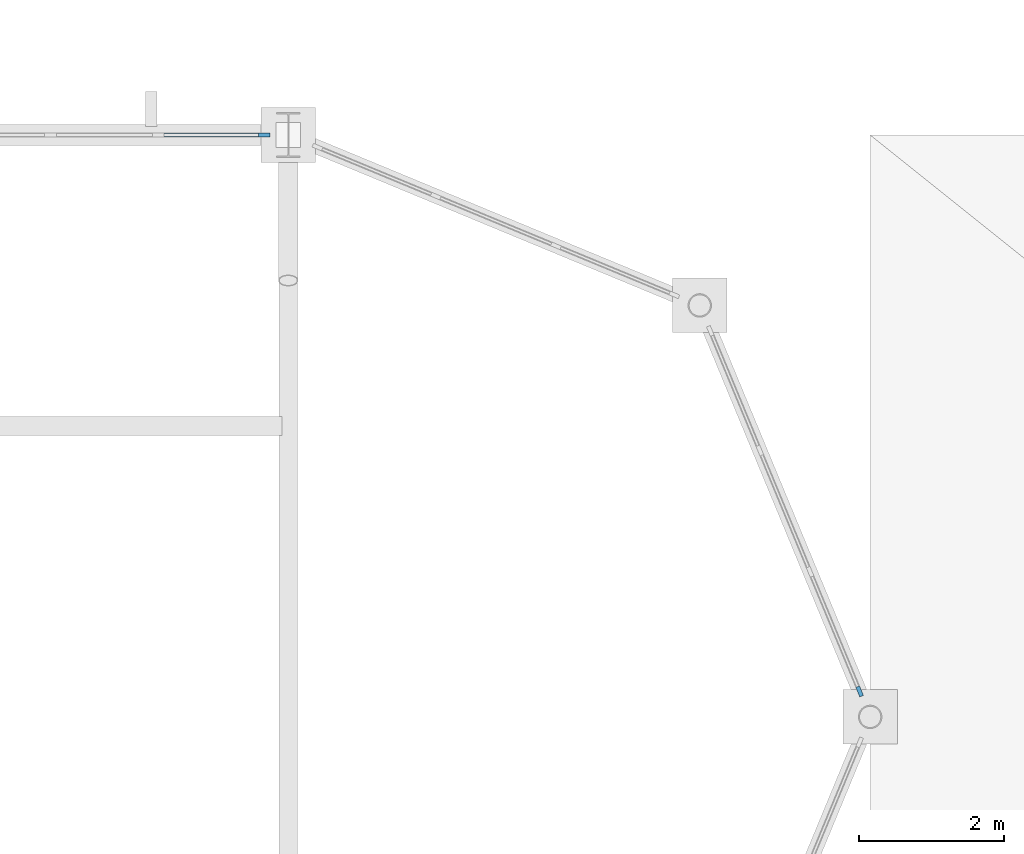
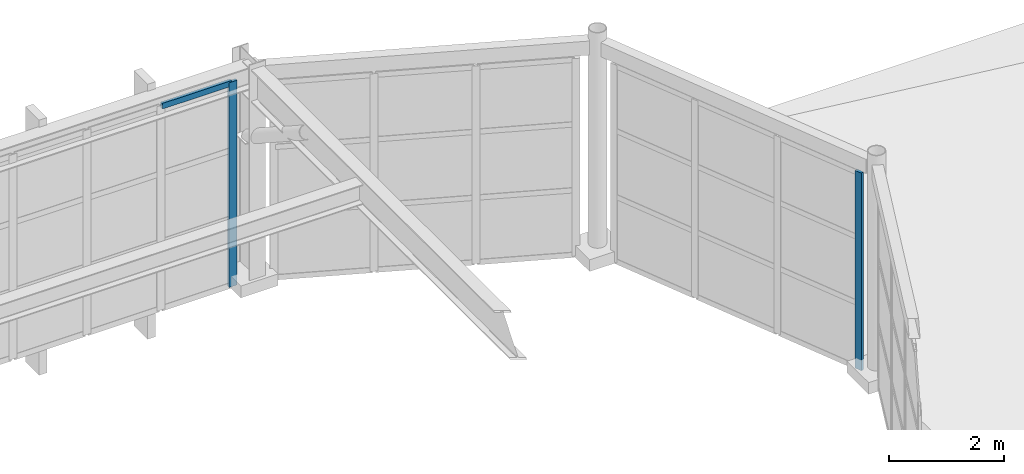
# One storey, part 34 of 61: 3 members, 2 elements without a shape of their own.
"""IFC4 building model written with IfcOpenShell, lengths in metres."""

from ifc_helpers import new_model, si_unit, direction, frame, origin, origin_2d, place, context, subcontext, project, spatial, rectangle, extrude, material, material_profile, profile_set, type_object, element, aggregate, save


model = new_model("IFC4")

# Units and contexts
model_context = context("Model", 3, precision=1e-05, world=origin(), true_north=direction((0.0, 1.0)))
body_context = subcontext(model_context, "Body", "Model", "MODEL_VIEW")
ifc_project = project(units=[si_unit("LENGTHUNIT", "METRE"), si_unit("AREAUNIT", "SQUARE_METRE"), si_unit("VOLUMEUNIT", "CUBIC_METRE"), si_unit("PLANEANGLEUNIT", "RADIAN"), si_unit("MASSUNIT", "GRAM", prefix="KILO")], contexts=[model_context])

# Site, building, storey
site_placement = place(None, origin())
site = spatial("IfcSite", under=ifc_project, at=site_placement, CompositionType="ELEMENT")
building_placement = place(site_placement, origin())
building = spatial("IfcBuilding", under=site, at=building_placement, Name="Serraluz Foothill Cableway Terminal", CompositionType="ELEMENT")
storey_placement = place(building_placement, frame((0.0, 0.0, 15.0)))
storey = spatial("IfcBuildingStorey", under=building, at=storey_placement, Name="L03", CompositionType="ELEMENT", Elevation=15.0)

# Curtain wall, member
ifc_material_1 = material(Name="Architectural bronze alloy C28000", Category="aluminium")
curtain_wall_type_1 = type_object("IfcCurtainWallType", Name="TYP-CW-480X420", PredefinedType="NOTDEFINED", material=ifc_material_1)
curtain_wall_1_placement = place(storey_placement, origin())
curtain_wall_1 = element("IfcCurtainWall", 1, at=curtain_wall_1_placement, inside=storey, type_object=curtain_wall_type_1, Name="Ribbed Glazed Curtain Wall CW-V1-E-L03-2", PredefinedType="NOTDEFINED")
ifc_material_2 = material(Name="Extruded aluminium 6063-T6", Category="aluminium")
ifc_material_profile_1 = material_profile(ifc_material_2, rectangle(XDim=0.054931640625, YDim=0.139892578125, at=origin_2d()), Name="ALU MULLION 55x140")
ifc_profile_set_1 = profile_set([ifc_material_profile_1], Name="Extruded aluminium 6063-T6")
member_type_1 = type_object("IfcMemberType", Name="TYP-CW-MUL-55X140", PredefinedType="MULLION", material=ifc_profile_set_1)
member_1_placement = place(storey_placement, frame((159.85498046875, 64.35009765625, 0.0), z_axis=(0.0, 0.0, 1.0), x_axis=(0.923878982655, 0.382684759834, 0.0)))
member_1 = element("IfcMember", 2, at=member_1_placement, type_object=member_type_1, Name="CW-15 mullion 4", PredefinedType="MULLION", context=body_context, shape_type="SweptSolid", body=[
    extrude(rectangle(XDim=0.054931640625, YDim=0.139892578125, at=origin_2d()), origin(), (0.0, 0.0, 1.0), 4.199951171875),
])
aggregate(curtain_wall_1, [member_1])

# Curtain wall, members
curtain_wall_type_2 = type_object("IfcCurtainWallType", Name="TYP-CW-710X420", PredefinedType="NOTDEFINED", material=ifc_material_1)
curtain_wall_2_placement = place(storey_placement, origin())
curtain_wall_2 = element("IfcCurtainWall", 3, at=curtain_wall_2_placement, inside=storey, type_object=curtain_wall_type_2, Name="Ribbed Glazed Curtain Wall CW-V1N-L03-144", PredefinedType="NOTDEFINED")
ifc_material_profile_2 = material_profile(ifc_material_1, rectangle(XDim=0.06005859375, YDim=0.159912109375, at=origin_2d()), Name="ALU MULLION 60x160")
ifc_profile_set_2 = profile_set([ifc_material_profile_2], Name="Architectural bronze alloy C28000")
member_type_2 = type_object("IfcMemberType", Name="TYP-CW-MUL-60X160", PredefinedType="MULLION", material=ifc_profile_set_2)
member_2_placement = place(storey_placement, frame((151.66748046875, 72.0, 0.0), z_axis=(0.0, 0.0, 1.0), x_axis=(0.0, 1.0, 0.0)))
member_2 = element("IfcMember", 4, at=member_2_placement, type_object=member_type_2, Name="CW-01 mullion 6", PredefinedType="MULLION", context=body_context, shape_type="SweptSolid", body=[
    extrude(rectangle(XDim=0.06005859375, YDim=0.159912109375, at=origin_2d()), origin(), (0.0, 0.0, 1.0), 4.35009765625),
])
ifc_material_profile_3 = material_profile(ifc_material_1, rectangle(XDim=0.06005859375, YDim=0.1201171875, at=origin_2d()), Name="ALU TRANSOM 60x120")
ifc_profile_set_3 = profile_set([ifc_material_profile_3], Name="Architectural bronze alloy C28000")
member_type_3 = type_object("IfcMemberType", Name="TYP-CW-TRN-60X120", PredefinedType="USERDEFINED", material=ifc_profile_set_3)
member_3_placement = place(storey_placement, frame((150.244384765625, 72.0, 4.320068359375), z_axis=(1.0, 0.0, 0.0), x_axis=(0.0, 1.0, 0.0)))
member_3 = element("IfcMember", 5, at=member_3_placement, type_object=member_type_3, Name="CW-01 transom 5.4", ObjectType="TRANSOM", PredefinedType="USERDEFINED", context=body_context, shape_type="SweptSolid", body=[
    extrude(rectangle(XDim=0.06005859375, YDim=0.1201171875, at=origin_2d()), origin(), (0.0, 0.0, 1.0), 1.39306640625),
])
aggregate(curtain_wall_2, [member_2, member_3])

save(model, "model.ifc")
